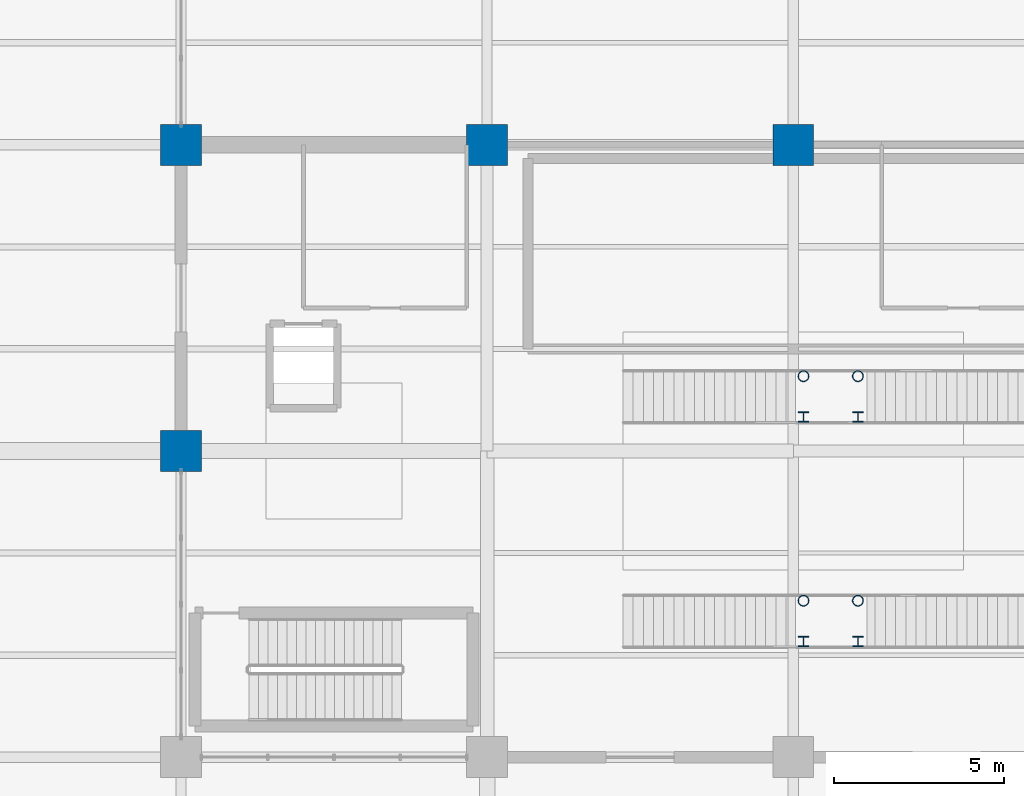
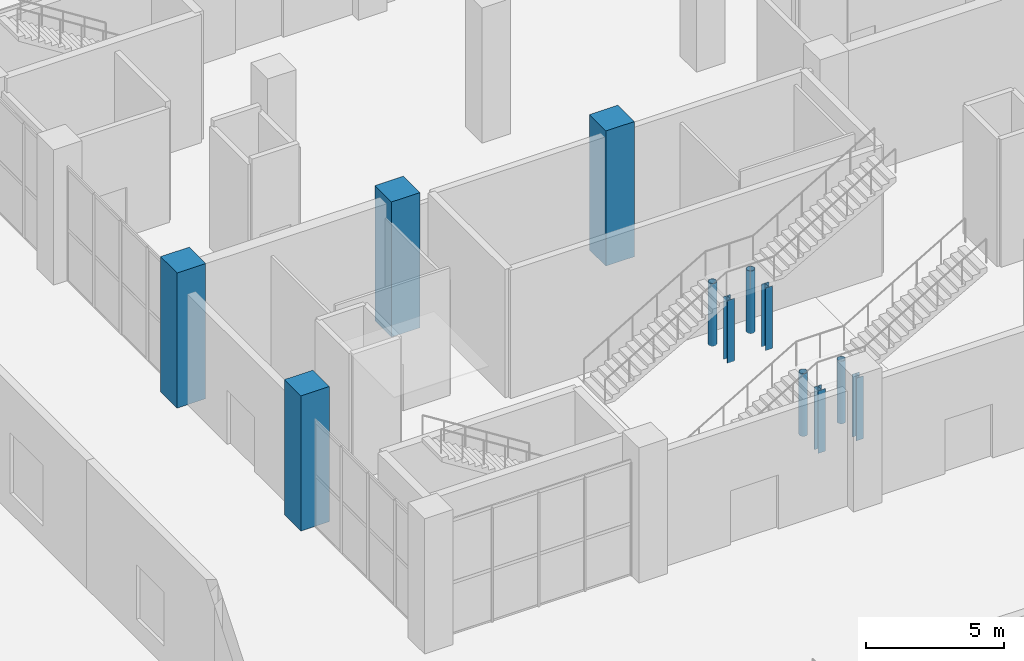
# One storey, part 2 of 144: 12 columns.
"""IFC4 building model written with IfcOpenShell, lengths in metres."""

from ifc_helpers import new_model, si_unit, direction, frame, origin, origin_2d, place, context, subcontext, project, spatial, rectangle, hollow_circle, i_section, extrude, material, material_profile, profile_set, type_object, element, save


model = new_model("IFC4")

# Units and contexts
model_context = context("Model", 3, precision=1e-05, world=origin(), true_north=direction((0.0, 1.0)))
body_context = subcontext(model_context, "Body", "Model", "MODEL_VIEW")
ifc_project = project(units=[si_unit("LENGTHUNIT", "METRE"), si_unit("AREAUNIT", "SQUARE_METRE"), si_unit("VOLUMEUNIT", "CUBIC_METRE"), si_unit("PLANEANGLEUNIT", "RADIAN"), si_unit("MASSUNIT", "GRAM", prefix="KILO")], contexts=[model_context])

# Site, building, storey
site_placement = place(None, origin())
site = spatial("IfcSite", under=ifc_project, at=site_placement, CompositionType="ELEMENT")
building_placement = place(site_placement, origin())
building = spatial("IfcBuilding", under=site, at=building_placement, Name="Sundgate Opera House", CompositionType="ELEMENT")
storey_placement = place(building_placement, origin())
storey = spatial("IfcBuildingStorey", under=building, at=storey_placement, Name="L00", CompositionType="ELEMENT", Elevation=0.0)

# Columns
ifc_material_1 = material(Name="Steel S355J2", Category="steel")
ifc_material_profile_1 = material_profile(ifc_material_1, hollow_circle(Radius=0.161865234375, WallThickness=0.01611328125, at=origin_2d()), Name="CHS 323.9x16.0")
ifc_profile_set_1 = profile_set([ifc_material_profile_1], Name="Steel S355J2")
column_type_1 = type_object("IfcColumnType", Name="CL-CHS-324", PredefinedType="COLUMN", material=ifc_profile_set_1)
for number, where, z_axis, x_axis, name in (
    (1, (54.300048828125, 46.60009765625, 0.0), (0.0, 0.0, 1.0), (1.0, 0.0, 0.0), "Grand Foyer South Monumental Stair Landing Post C"),
    (2, (55.89990234375, 46.60009765625, 0.0), (0.0, 0.0, 1.0), (1.0, 0.0, 0.0), "Grand Foyer South Monumental Stair Landing Post D"),
    (3, (54.300048828125, 53.199951171875, 0.0), (0.0, 0.0, 1.0), (1.0, 0.0, 0.0), "Grand Foyer North Monumental Stair Landing Post C"),
    (4, (55.89990234375, 53.199951171875, 0.0), (0.0, 0.0, 1.0), (1.0, 0.0, 0.0), "Grand Foyer North Monumental Stair Landing Post D"),
):
    element("IfcColumn", number, at=place(storey_placement, frame(where, z_axis=z_axis, x_axis=x_axis)), inside=storey, type_object=column_type_1, Name=name, PredefinedType="COLUMN", context=body_context, shape_type="SweptSolid", body=[
        extrude(hollow_circle(Radius=0.161865234375, WallThickness=0.01611328125, at=origin_2d()), origin(), (0.0, 0.0, 1.0), 2.780029296875),
    ])
ifc_material_2 = material(Name="Concrete C45/55", Category="concrete")
ifc_material_profile_2 = material_profile(ifc_material_2, rectangle(XDim=1.199951171875, YDim=1.199951171875, at=origin_2d()), Name="RC 1200x1200")
ifc_profile_set_2 = profile_set([ifc_material_profile_2], Name="Concrete C45/55")
column_type_2 = type_object("IfcColumnType", Name="CL-RC-1200", PredefinedType="COLUMN", material=ifc_profile_set_2)
for number, where, z_axis, x_axis, name in (
    (5, (36.0, 51.0, 0.0), (0.0, 0.0, 1.0), (1.0, 0.0, 0.0), "L00 Column C0227"),
    (6, (36.0, 60.0, 0.0), (0.0, 0.0, 1.0), (1.0, 0.0, 0.0), "L00 Column C0233"),
    (7, (45.0, 60.0, 0.0), (0.0, 0.0, 1.0), (1.0, 0.0, 0.0), "L00 Column C0293"),
    (8, (54.0, 60.0, 0.0), (0.0, 0.0, 1.0), (1.0, 0.0, 0.0), "L00 Column C0353"),
):
    element("IfcColumn", number, at=place(storey_placement, frame(where, z_axis=z_axis, x_axis=x_axis)), inside=storey, type_object=column_type_2, Name=name, PredefinedType="COLUMN", context=body_context, shape_type="SweptSolid", body=[
        extrude(rectangle(XDim=1.199951171875, YDim=1.199951171875, at=origin_2d()), origin(), (0.0, 0.0, 1.0), 6.0),
    ])
ifc_material_3 = material(Name="Steel S355J2", Category="steel")
ifc_material_profile_3 = material_profile(ifc_material_3, i_section(OverallWidth=0.300048828125, OverallDepth=0.300048828125, WebThickness=0.010986328125, FlangeThickness=0.01904296875, at=origin_2d()), Name="HEB 300")
ifc_profile_set_3 = profile_set([ifc_material_profile_3], Name="Steel S355J2")
column_type_3 = type_object("IfcColumnType", Name="CL-STL-300", PredefinedType="COLUMN", material=ifc_profile_set_3)
for number, where, z_axis, x_axis, name in (
    (9, (54.300048828125, 45.39990234375, 0.0), (0.0, 0.0, 1.0), (1.0, 0.0, 0.0), "Grand Foyer South Monumental Stair Landing Post A"),
    (10, (55.89990234375, 45.39990234375, 0.0), (0.0, 0.0, 1.0), (1.0, 0.0, 0.0), "Grand Foyer South Monumental Stair Landing Post B"),
    (11, (54.300048828125, 52.0, 0.0), (0.0, 0.0, 1.0), (1.0, 0.0, 0.0), "Grand Foyer North Monumental Stair Landing Post A"),
    (12, (55.89990234375, 52.0, 0.0), (0.0, 0.0, 1.0), (1.0, 0.0, 0.0), "Grand Foyer North Monumental Stair Landing Post B"),
):
    element("IfcColumn", number, at=place(storey_placement, frame(where, z_axis=z_axis, x_axis=x_axis)), inside=storey, type_object=column_type_3, Name=name, PredefinedType="COLUMN", context=body_context, shape_type="SweptSolid", body=[
        extrude(i_section(OverallWidth=0.300048828125, OverallDepth=0.300048828125, WebThickness=0.010986328125, FlangeThickness=0.01904296875, at=origin_2d()), origin(), (0.0, 0.0, 1.0), 2.780029296875),
    ])

save(model, "model.ifc")
